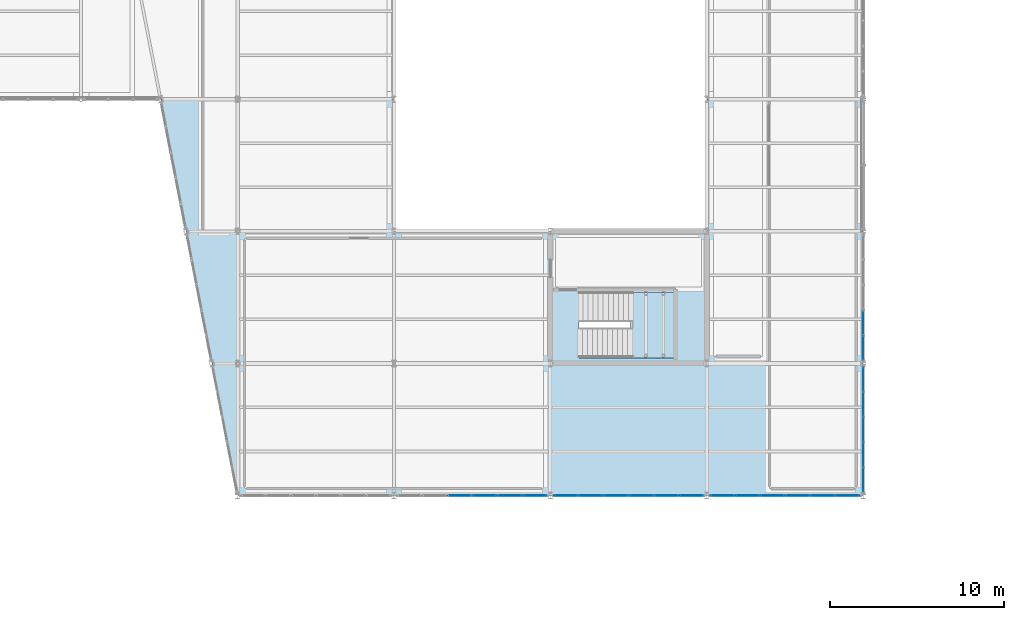
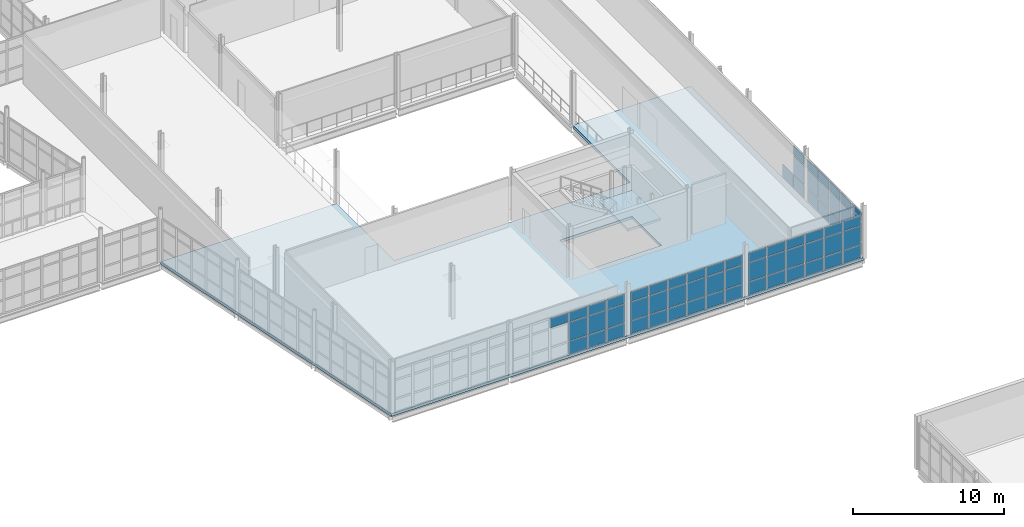
# One storey, part 143 of 174: 65 plates, 2 slabs, 6 elements without a shape of their own.
"""IFC4 building model written with IfcOpenShell, lengths in metres."""

from ifc_helpers import new_model, si_unit, direction, frame, origin, origin_2d, place, context, subcontext, project, spatial, polyline, rectangle, outline, extrude, material, layer, layer_set, type_object, element, aggregate, save


model = new_model("IFC4")

# Units and contexts
model_context = context("Model", 3, precision=1e-05, world=origin(), true_north=direction((0.0, 1.0)))
body_context = subcontext(model_context, "Body", "Model", "MODEL_VIEW")
ifc_project = project(units=[si_unit("LENGTHUNIT", "METRE"), si_unit("AREAUNIT", "SQUARE_METRE"), si_unit("VOLUMEUNIT", "CUBIC_METRE"), si_unit("PLANEANGLEUNIT", "RADIAN"), si_unit("MASSUNIT", "GRAM", prefix="KILO")], contexts=[model_context])

# Site, building, storey
site_placement = place(None, origin())
site = spatial("IfcSite", under=ifc_project, at=site_placement, CompositionType="ELEMENT")
building_placement = place(site_placement, origin())
building = spatial("IfcBuilding", under=site, at=building_placement, Name="Caisbarro Railhouse Central Library", CompositionType="ELEMENT")
storey_placement = place(building_placement, frame((0.0, 0.0, 5.0400390625)))
storey = spatial("IfcBuildingStorey", under=building, at=storey_placement, Name="L01", CompositionType="ELEMENT", Elevation=5.0400390625)

# Curtain wall, plates
ifc_material_1 = material(Name="Anodised architectural aluminium", Category="aluminium")
curtain_wall_type_1 = type_object("IfcCurtainWallType", Name="CW-CW03", PredefinedType="NOTDEFINED", material=ifc_material_1)
curtain_wall_1_placement = place(storey_placement, origin())
curtain_wall_1 = element("IfcCurtainWall", 1, at=curtain_wall_1_placement, inside=storey, type_object=curtain_wall_type_1, Name="CW03 curtain wall L01 #121", PredefinedType="NOTDEFINED")
ifc_material_2 = material(Name="Double low-e laminated solar-control glass", Category="glass")
ifc_layer_1 = layer(ifc_material_2, 0.01806640625, Name="Double low-e laminated solar-control glass")
ifc_layer_set_1 = layer_set([ifc_layer_1], Name="Double low-e laminated solar-control glass")
plate_type_1 = type_object("IfcPlateType", Name="CWP-CP18", PredefinedType="CURTAIN_PANEL", material=ifc_layer_set_1)
plate_1_placement = place(storey_placement, frame((153.0, 61.704345703125, 0.06494140625), z_axis=(0.0, 0.0, 1.0), x_axis=(0.0, 1.0, 0.0)))
plate_1 = element("IfcPlate", 2, at=plate_1_placement, type_object=plate_type_1, Name="CW03 panel 1.1", PredefinedType="CURTAIN_PANEL", context=body_context, shape_type="SweptSolid", body=[
    extrude(rectangle(XDim=1.3583984375, YDim=0.01806640625, at=origin_2d()), origin(), (0.0, 0.0, 1.0), 1.0224609375),
])
plate_2_placement = place(storey_placement, frame((153.0, 61.704345703125, 1.152587890625), z_axis=(0.0, 0.0, 1.0), x_axis=(0.0, 1.0, 0.0)))
plate_2 = element("IfcPlate", 3, at=plate_2_placement, type_object=plate_type_1, Name="CW03 panel 1.2", PredefinedType="CURTAIN_PANEL", context=body_context, shape_type="SweptSolid", body=[
    extrude(rectangle(XDim=1.3583984375, YDim=0.01806640625, at=origin_2d()), origin(), (0.0, 0.0, 1.0), 1.52490234375),
])
plate_3_placement = place(storey_placement, frame((153.0, 61.704345703125, 2.742431640625), z_axis=(0.0, 0.0, 1.0), x_axis=(0.0, 1.0, 0.0)))
plate_3 = element("IfcPlate", 4, at=plate_3_placement, type_object=plate_type_1, Name="CW03 panel 1.3", PredefinedType="CURTAIN_PANEL", context=body_context, shape_type="SweptSolid", body=[
    extrude(rectangle(XDim=1.3583984375, YDim=0.01806640625, at=origin_2d()), origin(), (0.0, 0.0, 1.0), 0.75244140625),
])
plate_4_placement = place(storey_placement, frame((153.0, 63.14404296875, 0.06494140625), z_axis=(0.0, 0.0, 1.0), x_axis=(0.0, 1.0, 0.0)))
plate_4 = element("IfcPlate", 5, at=plate_4_placement, type_object=plate_type_1, Name="CW03 panel 2.1", PredefinedType="CURTAIN_PANEL", context=body_context, shape_type="SweptSolid", body=[
    extrude(rectangle(XDim=1.39111328125, YDim=0.01806640625, at=origin_2d()), origin(), (0.0, 0.0, 1.0), 1.0224609375),
])
plate_5_placement = place(storey_placement, frame((153.0, 63.14404296875, 1.152587890625), z_axis=(0.0, 0.0, 1.0), x_axis=(0.0, 1.0, 0.0)))
plate_5 = element("IfcPlate", 6, at=plate_5_placement, type_object=plate_type_1, Name="CW03 panel 2.2", PredefinedType="CURTAIN_PANEL", context=body_context, shape_type="SweptSolid", body=[
    extrude(rectangle(XDim=1.39111328125, YDim=0.01806640625, at=origin_2d()), origin(), (0.0, 0.0, 1.0), 1.52490234375),
])
plate_6_placement = place(storey_placement, frame((153.0, 63.14404296875, 2.742431640625), z_axis=(0.0, 0.0, 1.0), x_axis=(0.0, 1.0, 0.0)))
plate_6 = element("IfcPlate", 7, at=plate_6_placement, type_object=plate_type_1, Name="CW03 panel 2.3", PredefinedType="CURTAIN_PANEL", context=body_context, shape_type="SweptSolid", body=[
    extrude(rectangle(XDim=1.39111328125, YDim=0.01806640625, at=origin_2d()), origin(), (0.0, 0.0, 1.0), 0.75244140625),
])
plate_7_placement = place(storey_placement, frame((153.0, 64.60009765625, 0.06494140625), z_axis=(0.0, 0.0, 1.0), x_axis=(0.0, 1.0, 0.0)))
plate_7 = element("IfcPlate", 8, at=plate_7_placement, type_object=plate_type_1, Name="CW03 panel 3.1", PredefinedType="CURTAIN_PANEL", context=body_context, shape_type="SweptSolid", body=[
    extrude(rectangle(XDim=1.39111328125, YDim=0.01806640625, at=origin_2d()), origin(), (0.0, 0.0, 1.0), 1.0224609375),
])
plate_8_placement = place(storey_placement, frame((153.0, 64.60009765625, 1.152587890625), z_axis=(0.0, 0.0, 1.0), x_axis=(0.0, 1.0, 0.0)))
plate_8 = element("IfcPlate", 9, at=plate_8_placement, type_object=plate_type_1, Name="CW03 panel 3.2", PredefinedType="CURTAIN_PANEL", context=body_context, shape_type="SweptSolid", body=[
    extrude(rectangle(XDim=1.39111328125, YDim=0.01806640625, at=origin_2d()), origin(), (0.0, 0.0, 1.0), 1.52490234375),
])
plate_9_placement = place(storey_placement, frame((153.0, 64.60009765625, 2.742431640625), z_axis=(0.0, 0.0, 1.0), x_axis=(0.0, 1.0, 0.0)))
plate_9 = element("IfcPlate", 10, at=plate_9_placement, type_object=plate_type_1, Name="CW03 panel 3.3", PredefinedType="CURTAIN_PANEL", context=body_context, shape_type="SweptSolid", body=[
    extrude(rectangle(XDim=1.39111328125, YDim=0.01806640625, at=origin_2d()), origin(), (0.0, 0.0, 1.0), 0.75244140625),
])
plate_10_placement = place(storey_placement, frame((153.0, 66.055908203125, 0.06494140625), z_axis=(0.0, 0.0, 1.0), x_axis=(0.0, 1.0, 0.0)))
plate_10 = element("IfcPlate", 11, at=plate_10_placement, type_object=plate_type_1, Name="CW03 panel 4.1", PredefinedType="CURTAIN_PANEL", context=body_context, shape_type="SweptSolid", body=[
    extrude(rectangle(XDim=1.39111328125, YDim=0.01806640625, at=origin_2d()), origin(), (0.0, 0.0, 1.0), 1.0224609375),
])
plate_11_placement = place(storey_placement, frame((153.0, 66.055908203125, 1.152587890625), z_axis=(0.0, 0.0, 1.0), x_axis=(0.0, 1.0, 0.0)))
plate_11 = element("IfcPlate", 12, at=plate_11_placement, type_object=plate_type_1, Name="CW03 panel 4.2", PredefinedType="CURTAIN_PANEL", context=body_context, shape_type="SweptSolid", body=[
    extrude(rectangle(XDim=1.39111328125, YDim=0.01806640625, at=origin_2d()), origin(), (0.0, 0.0, 1.0), 1.52490234375),
])
plate_12_placement = place(storey_placement, frame((153.0, 66.055908203125, 2.742431640625), z_axis=(0.0, 0.0, 1.0), x_axis=(0.0, 1.0, 0.0)))
plate_12 = element("IfcPlate", 13, at=plate_12_placement, type_object=plate_type_1, Name="CW03 panel 4.3", PredefinedType="CURTAIN_PANEL", context=body_context, shape_type="SweptSolid", body=[
    extrude(rectangle(XDim=1.39111328125, YDim=0.01806640625, at=origin_2d()), origin(), (0.0, 0.0, 1.0), 0.75244140625),
])
plate_13_placement = place(storey_placement, frame((153.0, 67.495849609375, 0.06494140625), z_axis=(0.0, 0.0, 1.0), x_axis=(0.0, 1.0, 0.0)))
plate_13 = element("IfcPlate", 14, at=plate_13_placement, type_object=plate_type_1, Name="CW03 panel 5.1", PredefinedType="CURTAIN_PANEL", context=body_context, shape_type="SweptSolid", body=[
    extrude(rectangle(XDim=1.3583984375, YDim=0.01806640625, at=origin_2d()), origin(), (0.0, 0.0, 1.0), 1.0224609375),
])
plate_14_placement = place(storey_placement, frame((153.0, 67.495849609375, 1.152587890625), z_axis=(0.0, 0.0, 1.0), x_axis=(0.0, 1.0, 0.0)))
plate_14 = element("IfcPlate", 15, at=plate_14_placement, type_object=plate_type_1, Name="CW03 panel 5.2", PredefinedType="CURTAIN_PANEL", context=body_context, shape_type="SweptSolid", body=[
    extrude(rectangle(XDim=1.3583984375, YDim=0.01806640625, at=origin_2d()), origin(), (0.0, 0.0, 1.0), 1.52490234375),
])
plate_15_placement = place(storey_placement, frame((153.0, 67.495849609375, 2.742431640625), z_axis=(0.0, 0.0, 1.0), x_axis=(0.0, 1.0, 0.0)))
plate_15 = element("IfcPlate", 16, at=plate_15_placement, type_object=plate_type_1, Name="CW03 panel 5.3", PredefinedType="CURTAIN_PANEL", context=body_context, shape_type="SweptSolid", body=[
    extrude(rectangle(XDim=1.3583984375, YDim=0.01806640625, at=origin_2d()), origin(), (0.0, 0.0, 1.0), 0.75244140625),
])
aggregate(curtain_wall_1, [plate_1, plate_2, plate_3, plate_4, plate_5, plate_6, plate_7, plate_8, plate_9, plate_10, plate_11, plate_12, plate_13, plate_14, plate_15])

curtain_wall_type_2 = type_object("IfcCurtainWallType", Name="CW-CW02", PredefinedType="NOTDEFINED", material=ifc_material_1)
curtain_wall_2_placement = place(storey_placement, origin())
curtain_wall_2 = element("IfcCurtainWall", 17, at=curtain_wall_2_placement, inside=storey, type_object=curtain_wall_type_2, Name="CW02 curtain wall L01 #118", PredefinedType="NOTDEFINED")
ifc_layer_2 = layer(ifc_material_2, 0.028076171875, Name="Double low-e laminated solar-control glass")
ifc_layer_set_2 = layer_set([ifc_layer_2], Name="Double low-e laminated solar-control glass")
plate_type_2 = type_object("IfcPlateType", Name="CWP-CP28", PredefinedType="CURTAIN_PANEL", material=ifc_layer_set_2)
plate_16_placement = place(storey_placement, frame((129.776611328125, 60.800048828125, 2.697265625), z_axis=(0.0, 0.0, 1.0), x_axis=(1.0, 0.0, 0.0)))
plate_16 = element("IfcPlate", 18, at=plate_16_placement, type_object=plate_type_2, Name="CW02 panel 3.3", PredefinedType="CURTAIN_PANEL", context=body_context, shape_type="SweptSolid", body=[
    extrude(rectangle(XDim=1.37158203125, YDim=0.028076171875, at=origin_2d()), origin(), (0.0, 0.0, 1.0), 0.737548828125),
])
plate_17_placement = place(storey_placement, frame((131.223388671875, 60.800048828125, 0.07470703125), z_axis=(0.0, 0.0, 1.0), x_axis=(1.0, 0.0, 0.0)))
plate_17 = element("IfcPlate", 19, at=plate_17_placement, type_object=plate_type_2, Name="CW02 panel 4.1", PredefinedType="CURTAIN_PANEL", context=body_context, shape_type="SweptSolid", body=[
    extrude(rectangle(XDim=1.37158203125, YDim=0.028076171875, at=origin_2d()), origin(), (0.0, 0.0, 1.0), 1.007568359375),
])
plate_18_placement = place(storey_placement, frame((131.223388671875, 60.800048828125, 1.1572265625), z_axis=(0.0, 0.0, 1.0), x_axis=(1.0, 0.0, 0.0)))
plate_18 = element("IfcPlate", 20, at=plate_18_placement, type_object=plate_type_2, Name="CW02 panel 4.2", PredefinedType="CURTAIN_PANEL", context=body_context, shape_type="SweptSolid", body=[
    extrude(rectangle(XDim=1.37158203125, YDim=0.028076171875, at=origin_2d()), origin(), (0.0, 0.0, 1.0), 1.465087890625),
])
plate_19_placement = place(storey_placement, frame((131.223388671875, 60.800048828125, 2.697265625), z_axis=(0.0, 0.0, 1.0), x_axis=(1.0, 0.0, 0.0)))
plate_19 = element("IfcPlate", 21, at=plate_19_placement, type_object=plate_type_2, Name="CW02 panel 4.3", PredefinedType="CURTAIN_PANEL", context=body_context, shape_type="SweptSolid", body=[
    extrude(rectangle(XDim=1.37158203125, YDim=0.028076171875, at=origin_2d()), origin(), (0.0, 0.0, 1.0), 0.737548828125),
])
plate_20_placement = place(storey_placement, frame((132.669921875, 60.800048828125, 0.07470703125), z_axis=(0.0, 0.0, 1.0), x_axis=(1.0, 0.0, 0.0)))
plate_20 = element("IfcPlate", 22, at=plate_20_placement, type_object=plate_type_2, Name="CW02 panel 5.1", PredefinedType="CURTAIN_PANEL", context=body_context, shape_type="SweptSolid", body=[
    extrude(rectangle(XDim=1.37158203125, YDim=0.028076171875, at=origin_2d()), origin(), (0.0, 0.0, 1.0), 1.007568359375),
])
plate_21_placement = place(storey_placement, frame((132.669921875, 60.800048828125, 1.1572265625), z_axis=(0.0, 0.0, 1.0), x_axis=(1.0, 0.0, 0.0)))
plate_21 = element("IfcPlate", 23, at=plate_21_placement, type_object=plate_type_2, Name="CW02 panel 5.2", PredefinedType="CURTAIN_PANEL", context=body_context, shape_type="SweptSolid", body=[
    extrude(rectangle(XDim=1.37158203125, YDim=0.028076171875, at=origin_2d()), origin(), (0.0, 0.0, 1.0), 1.465087890625),
])
plate_22_placement = place(storey_placement, frame((132.669921875, 60.800048828125, 2.697265625), z_axis=(0.0, 0.0, 1.0), x_axis=(1.0, 0.0, 0.0)))
plate_22 = element("IfcPlate", 24, at=plate_22_placement, type_object=plate_type_2, Name="CW02 panel 5.3", PredefinedType="CURTAIN_PANEL", context=body_context, shape_type="SweptSolid", body=[
    extrude(rectangle(XDim=1.37158203125, YDim=0.028076171875, at=origin_2d()), origin(), (0.0, 0.0, 1.0), 0.737548828125),
])
plate_23_placement = place(storey_placement, frame((134.097900390625, 60.800048828125, 0.07470703125), z_axis=(0.0, 0.0, 1.0), x_axis=(1.0, 0.0, 0.0)))
plate_23 = element("IfcPlate", 25, at=plate_23_placement, type_object=plate_type_2, Name="CW02 panel 6.1", PredefinedType="CURTAIN_PANEL", context=body_context, shape_type="SweptSolid", body=[
    extrude(rectangle(XDim=1.334228515625, YDim=0.028076171875, at=origin_2d()), origin(), (0.0, 0.0, 1.0), 1.007568359375),
])
plate_24_placement = place(storey_placement, frame((134.097900390625, 60.800048828125, 1.1572265625), z_axis=(0.0, 0.0, 1.0), x_axis=(1.0, 0.0, 0.0)))
plate_24 = element("IfcPlate", 26, at=plate_24_placement, type_object=plate_type_2, Name="CW02 panel 6.2", PredefinedType="CURTAIN_PANEL", context=body_context, shape_type="SweptSolid", body=[
    extrude(rectangle(XDim=1.334228515625, YDim=0.028076171875, at=origin_2d()), origin(), (0.0, 0.0, 1.0), 1.465087890625),
])
plate_25_placement = place(storey_placement, frame((134.097900390625, 60.800048828125, 2.697265625), z_axis=(0.0, 0.0, 1.0), x_axis=(1.0, 0.0, 0.0)))
plate_25 = element("IfcPlate", 27, at=plate_25_placement, type_object=plate_type_2, Name="CW02 panel 6.3", PredefinedType="CURTAIN_PANEL", context=body_context, shape_type="SweptSolid", body=[
    extrude(rectangle(XDim=1.334228515625, YDim=0.028076171875, at=origin_2d()), origin(), (0.0, 0.0, 1.0), 0.737548828125),
])
aggregate(curtain_wall_2, [plate_16, plate_17, plate_18, plate_19, plate_20, plate_21, plate_22, plate_23, plate_24, plate_25])

curtain_wall_3_placement = place(storey_placement, origin())
curtain_wall_3 = element("IfcCurtainWall", 28, at=curtain_wall_3_placement, inside=storey, type_object=curtain_wall_type_2, Name="CW02 curtain wall L01 #119", PredefinedType="NOTDEFINED")
plate_26_placement = place(storey_placement, frame((135.902099609375, 60.800048828125, 0.07470703125), z_axis=(0.0, 0.0, 1.0), x_axis=(1.0, 0.0, 0.0)))
plate_26 = element("IfcPlate", 29, at=plate_26_placement, type_object=plate_type_2, Name="CW02 panel 1.1", PredefinedType="CURTAIN_PANEL", context=body_context, shape_type="SweptSolid", body=[
    extrude(rectangle(XDim=1.334228515625, YDim=0.028076171875, at=origin_2d()), origin(), (0.0, 0.0, 1.0), 1.007568359375),
])
plate_27_placement = place(storey_placement, frame((135.902099609375, 60.800048828125, 1.1572265625), z_axis=(0.0, 0.0, 1.0), x_axis=(1.0, 0.0, 0.0)))
plate_27 = element("IfcPlate", 30, at=plate_27_placement, type_object=plate_type_2, Name="CW02 panel 1.2", PredefinedType="CURTAIN_PANEL", context=body_context, shape_type="SweptSolid", body=[
    extrude(rectangle(XDim=1.334228515625, YDim=0.028076171875, at=origin_2d()), origin(), (0.0, 0.0, 1.0), 1.465087890625),
])
plate_28_placement = place(storey_placement, frame((135.902099609375, 60.800048828125, 2.697265625), z_axis=(0.0, 0.0, 1.0), x_axis=(1.0, 0.0, 0.0)))
plate_28 = element("IfcPlate", 31, at=plate_28_placement, type_object=plate_type_2, Name="CW02 panel 1.3", PredefinedType="CURTAIN_PANEL", context=body_context, shape_type="SweptSolid", body=[
    extrude(rectangle(XDim=1.334228515625, YDim=0.028076171875, at=origin_2d()), origin(), (0.0, 0.0, 1.0), 0.737548828125),
])
plate_29_placement = place(storey_placement, frame((137.330078125, 60.800048828125, 0.07470703125), z_axis=(0.0, 0.0, 1.0), x_axis=(1.0, 0.0, 0.0)))
plate_29 = element("IfcPlate", 32, at=plate_29_placement, type_object=plate_type_2, Name="CW02 panel 2.1", PredefinedType="CURTAIN_PANEL", context=body_context, shape_type="SweptSolid", body=[
    extrude(rectangle(XDim=1.37158203125, YDim=0.028076171875, at=origin_2d()), origin(), (0.0, 0.0, 1.0), 1.007568359375),
])
plate_30_placement = place(storey_placement, frame((137.330078125, 60.800048828125, 1.1572265625), z_axis=(0.0, 0.0, 1.0), x_axis=(1.0, 0.0, 0.0)))
plate_30 = element("IfcPlate", 33, at=plate_30_placement, type_object=plate_type_2, Name="CW02 panel 2.2", PredefinedType="CURTAIN_PANEL", context=body_context, shape_type="SweptSolid", body=[
    extrude(rectangle(XDim=1.37158203125, YDim=0.028076171875, at=origin_2d()), origin(), (0.0, 0.0, 1.0), 1.465087890625),
])
plate_31_placement = place(storey_placement, frame((137.330078125, 60.800048828125, 2.697265625), z_axis=(0.0, 0.0, 1.0), x_axis=(1.0, 0.0, 0.0)))
plate_31 = element("IfcPlate", 34, at=plate_31_placement, type_object=plate_type_2, Name="CW02 panel 2.3", PredefinedType="CURTAIN_PANEL", context=body_context, shape_type="SweptSolid", body=[
    extrude(rectangle(XDim=1.37158203125, YDim=0.028076171875, at=origin_2d()), origin(), (0.0, 0.0, 1.0), 0.737548828125),
])
plate_32_placement = place(storey_placement, frame((138.776611328125, 60.800048828125, 0.07470703125), z_axis=(0.0, 0.0, 1.0), x_axis=(1.0, 0.0, 0.0)))
plate_32 = element("IfcPlate", 35, at=plate_32_placement, type_object=plate_type_2, Name="CW02 panel 3.1", PredefinedType="CURTAIN_PANEL", context=body_context, shape_type="SweptSolid", body=[
    extrude(rectangle(XDim=1.37158203125, YDim=0.028076171875, at=origin_2d()), origin(), (0.0, 0.0, 1.0), 1.007568359375),
])
plate_33_placement = place(storey_placement, frame((138.776611328125, 60.800048828125, 1.1572265625), z_axis=(0.0, 0.0, 1.0), x_axis=(1.0, 0.0, 0.0)))
plate_33 = element("IfcPlate", 36, at=plate_33_placement, type_object=plate_type_2, Name="CW02 panel 3.2", PredefinedType="CURTAIN_PANEL", context=body_context, shape_type="SweptSolid", body=[
    extrude(rectangle(XDim=1.37158203125, YDim=0.028076171875, at=origin_2d()), origin(), (0.0, 0.0, 1.0), 1.465087890625),
])
plate_34_placement = place(storey_placement, frame((138.776611328125, 60.800048828125, 2.697265625), z_axis=(0.0, 0.0, 1.0), x_axis=(1.0, 0.0, 0.0)))
plate_34 = element("IfcPlate", 37, at=plate_34_placement, type_object=plate_type_2, Name="CW02 panel 3.3", PredefinedType="CURTAIN_PANEL", context=body_context, shape_type="SweptSolid", body=[
    extrude(rectangle(XDim=1.37158203125, YDim=0.028076171875, at=origin_2d()), origin(), (0.0, 0.0, 1.0), 0.737548828125),
])
plate_35_placement = place(storey_placement, frame((140.223388671875, 60.800048828125, 0.07470703125), z_axis=(0.0, 0.0, 1.0), x_axis=(1.0, 0.0, 0.0)))
plate_35 = element("IfcPlate", 38, at=plate_35_placement, type_object=plate_type_2, Name="CW02 panel 4.1", PredefinedType="CURTAIN_PANEL", context=body_context, shape_type="SweptSolid", body=[
    extrude(rectangle(XDim=1.37158203125, YDim=0.028076171875, at=origin_2d()), origin(), (0.0, 0.0, 1.0), 1.007568359375),
])
plate_36_placement = place(storey_placement, frame((140.223388671875, 60.800048828125, 1.1572265625), z_axis=(0.0, 0.0, 1.0), x_axis=(1.0, 0.0, 0.0)))
plate_36 = element("IfcPlate", 39, at=plate_36_placement, type_object=plate_type_2, Name="CW02 panel 4.2", PredefinedType="CURTAIN_PANEL", context=body_context, shape_type="SweptSolid", body=[
    extrude(rectangle(XDim=1.37158203125, YDim=0.028076171875, at=origin_2d()), origin(), (0.0, 0.0, 1.0), 1.465087890625),
])
plate_37_placement = place(storey_placement, frame((140.223388671875, 60.800048828125, 2.697265625), z_axis=(0.0, 0.0, 1.0), x_axis=(1.0, 0.0, 0.0)))
plate_37 = element("IfcPlate", 40, at=plate_37_placement, type_object=plate_type_2, Name="CW02 panel 4.3", PredefinedType="CURTAIN_PANEL", context=body_context, shape_type="SweptSolid", body=[
    extrude(rectangle(XDim=1.37158203125, YDim=0.028076171875, at=origin_2d()), origin(), (0.0, 0.0, 1.0), 0.737548828125),
])
plate_38_placement = place(storey_placement, frame((141.669921875, 60.800048828125, 0.07470703125), z_axis=(0.0, 0.0, 1.0), x_axis=(1.0, 0.0, 0.0)))
plate_38 = element("IfcPlate", 41, at=plate_38_placement, type_object=plate_type_2, Name="CW02 panel 5.1", PredefinedType="CURTAIN_PANEL", context=body_context, shape_type="SweptSolid", body=[
    extrude(rectangle(XDim=1.37158203125, YDim=0.028076171875, at=origin_2d()), origin(), (0.0, 0.0, 1.0), 1.007568359375),
])
plate_39_placement = place(storey_placement, frame((141.669921875, 60.800048828125, 1.1572265625), z_axis=(0.0, 0.0, 1.0), x_axis=(1.0, 0.0, 0.0)))
plate_39 = element("IfcPlate", 42, at=plate_39_placement, type_object=plate_type_2, Name="CW02 panel 5.2", PredefinedType="CURTAIN_PANEL", context=body_context, shape_type="SweptSolid", body=[
    extrude(rectangle(XDim=1.37158203125, YDim=0.028076171875, at=origin_2d()), origin(), (0.0, 0.0, 1.0), 1.465087890625),
])
plate_40_placement = place(storey_placement, frame((141.669921875, 60.800048828125, 2.697265625), z_axis=(0.0, 0.0, 1.0), x_axis=(1.0, 0.0, 0.0)))
plate_40 = element("IfcPlate", 43, at=plate_40_placement, type_object=plate_type_2, Name="CW02 panel 5.3", PredefinedType="CURTAIN_PANEL", context=body_context, shape_type="SweptSolid", body=[
    extrude(rectangle(XDim=1.37158203125, YDim=0.028076171875, at=origin_2d()), origin(), (0.0, 0.0, 1.0), 0.737548828125),
])
plate_41_placement = place(storey_placement, frame((143.097900390625, 60.800048828125, 0.07470703125), z_axis=(0.0, 0.0, 1.0), x_axis=(1.0, 0.0, 0.0)))
plate_41 = element("IfcPlate", 44, at=plate_41_placement, type_object=plate_type_2, Name="CW02 panel 6.1", PredefinedType="CURTAIN_PANEL", context=body_context, shape_type="SweptSolid", body=[
    extrude(rectangle(XDim=1.334228515625, YDim=0.028076171875, at=origin_2d()), origin(), (0.0, 0.0, 1.0), 1.007568359375),
])
plate_42_placement = place(storey_placement, frame((143.097900390625, 60.800048828125, 1.1572265625), z_axis=(0.0, 0.0, 1.0), x_axis=(1.0, 0.0, 0.0)))
plate_42 = element("IfcPlate", 45, at=plate_42_placement, type_object=plate_type_2, Name="CW02 panel 6.2", PredefinedType="CURTAIN_PANEL", context=body_context, shape_type="SweptSolid", body=[
    extrude(rectangle(XDim=1.334228515625, YDim=0.028076171875, at=origin_2d()), origin(), (0.0, 0.0, 1.0), 1.465087890625),
])
plate_43_placement = place(storey_placement, frame((143.097900390625, 60.800048828125, 2.697265625), z_axis=(0.0, 0.0, 1.0), x_axis=(1.0, 0.0, 0.0)))
plate_43 = element("IfcPlate", 46, at=plate_43_placement, type_object=plate_type_2, Name="CW02 panel 6.3", PredefinedType="CURTAIN_PANEL", context=body_context, shape_type="SweptSolid", body=[
    extrude(rectangle(XDim=1.334228515625, YDim=0.028076171875, at=origin_2d()), origin(), (0.0, 0.0, 1.0), 0.737548828125),
])
aggregate(curtain_wall_3, [plate_26, plate_27, plate_28, plate_29, plate_30, plate_31, plate_32, plate_33, plate_34, plate_35, plate_36, plate_37, plate_38, plate_39, plate_40, plate_41, plate_42, plate_43])

curtain_wall_4_placement = place(storey_placement, origin())
curtain_wall_4 = element("IfcCurtainWall", 47, at=curtain_wall_4_placement, inside=storey, type_object=curtain_wall_type_2, Name="CW02 curtain wall L01 #120", PredefinedType="NOTDEFINED")
plate_44_placement = place(storey_placement, frame((144.902099609375, 60.800048828125, 0.07470703125), z_axis=(0.0, 0.0, 1.0), x_axis=(1.0, 0.0, 0.0)))
plate_44 = element("IfcPlate", 48, at=plate_44_placement, type_object=plate_type_2, Name="CW02 panel 1.1", PredefinedType="CURTAIN_PANEL", context=body_context, shape_type="SweptSolid", body=[
    extrude(rectangle(XDim=1.334228515625, YDim=0.028076171875, at=origin_2d()), origin(), (0.0, 0.0, 1.0), 1.007568359375),
])
plate_45_placement = place(storey_placement, frame((144.902099609375, 60.800048828125, 1.1572265625), z_axis=(0.0, 0.0, 1.0), x_axis=(1.0, 0.0, 0.0)))
plate_45 = element("IfcPlate", 49, at=plate_45_placement, type_object=plate_type_2, Name="CW02 panel 1.2", PredefinedType="CURTAIN_PANEL", context=body_context, shape_type="SweptSolid", body=[
    extrude(rectangle(XDim=1.334228515625, YDim=0.028076171875, at=origin_2d()), origin(), (0.0, 0.0, 1.0), 1.465087890625),
])
plate_46_placement = place(storey_placement, frame((144.902099609375, 60.800048828125, 2.697265625), z_axis=(0.0, 0.0, 1.0), x_axis=(1.0, 0.0, 0.0)))
plate_46 = element("IfcPlate", 50, at=plate_46_placement, type_object=plate_type_2, Name="CW02 panel 1.3", PredefinedType="CURTAIN_PANEL", context=body_context, shape_type="SweptSolid", body=[
    extrude(rectangle(XDim=1.334228515625, YDim=0.028076171875, at=origin_2d()), origin(), (0.0, 0.0, 1.0), 0.737548828125),
])
plate_47_placement = place(storey_placement, frame((146.330078125, 60.800048828125, 0.07470703125), z_axis=(0.0, 0.0, 1.0), x_axis=(1.0, 0.0, 0.0)))
plate_47 = element("IfcPlate", 51, at=plate_47_placement, type_object=plate_type_2, Name="CW02 panel 2.1", PredefinedType="CURTAIN_PANEL", context=body_context, shape_type="SweptSolid", body=[
    extrude(rectangle(XDim=1.37158203125, YDim=0.028076171875, at=origin_2d()), origin(), (0.0, 0.0, 1.0), 1.007568359375),
])
plate_48_placement = place(storey_placement, frame((146.330078125, 60.800048828125, 1.1572265625), z_axis=(0.0, 0.0, 1.0), x_axis=(1.0, 0.0, 0.0)))
plate_48 = element("IfcPlate", 52, at=plate_48_placement, type_object=plate_type_2, Name="CW02 panel 2.2", PredefinedType="CURTAIN_PANEL", context=body_context, shape_type="SweptSolid", body=[
    extrude(rectangle(XDim=1.37158203125, YDim=0.028076171875, at=origin_2d()), origin(), (0.0, 0.0, 1.0), 1.465087890625),
])
plate_49_placement = place(storey_placement, frame((146.330078125, 60.800048828125, 2.697265625), z_axis=(0.0, 0.0, 1.0), x_axis=(1.0, 0.0, 0.0)))
plate_49 = element("IfcPlate", 53, at=plate_49_placement, type_object=plate_type_2, Name="CW02 panel 2.3", PredefinedType="CURTAIN_PANEL", context=body_context, shape_type="SweptSolid", body=[
    extrude(rectangle(XDim=1.37158203125, YDim=0.028076171875, at=origin_2d()), origin(), (0.0, 0.0, 1.0), 0.737548828125),
])
plate_50_placement = place(storey_placement, frame((147.776611328125, 60.800048828125, 0.07470703125), z_axis=(0.0, 0.0, 1.0), x_axis=(1.0, 0.0, 0.0)))
plate_50 = element("IfcPlate", 54, at=plate_50_placement, type_object=plate_type_2, Name="CW02 panel 3.1", PredefinedType="CURTAIN_PANEL", context=body_context, shape_type="SweptSolid", body=[
    extrude(rectangle(XDim=1.37158203125, YDim=0.028076171875, at=origin_2d()), origin(), (0.0, 0.0, 1.0), 1.007568359375),
])
plate_51_placement = place(storey_placement, frame((147.776611328125, 60.800048828125, 1.1572265625), z_axis=(0.0, 0.0, 1.0), x_axis=(1.0, 0.0, 0.0)))
plate_51 = element("IfcPlate", 55, at=plate_51_placement, type_object=plate_type_2, Name="CW02 panel 3.2", PredefinedType="CURTAIN_PANEL", context=body_context, shape_type="SweptSolid", body=[
    extrude(rectangle(XDim=1.37158203125, YDim=0.028076171875, at=origin_2d()), origin(), (0.0, 0.0, 1.0), 1.465087890625),
])
plate_52_placement = place(storey_placement, frame((147.776611328125, 60.800048828125, 2.697265625), z_axis=(0.0, 0.0, 1.0), x_axis=(1.0, 0.0, 0.0)))
plate_52 = element("IfcPlate", 56, at=plate_52_placement, type_object=plate_type_2, Name="CW02 panel 3.3", PredefinedType="CURTAIN_PANEL", context=body_context, shape_type="SweptSolid", body=[
    extrude(rectangle(XDim=1.37158203125, YDim=0.028076171875, at=origin_2d()), origin(), (0.0, 0.0, 1.0), 0.737548828125),
])
plate_53_placement = place(storey_placement, frame((149.223388671875, 60.800048828125, 0.07470703125), z_axis=(0.0, 0.0, 1.0), x_axis=(1.0, 0.0, 0.0)))
plate_53 = element("IfcPlate", 57, at=plate_53_placement, type_object=plate_type_2, Name="CW02 panel 4.1", PredefinedType="CURTAIN_PANEL", context=body_context, shape_type="SweptSolid", body=[
    extrude(rectangle(XDim=1.37158203125, YDim=0.028076171875, at=origin_2d()), origin(), (0.0, 0.0, 1.0), 1.007568359375),
])
plate_54_placement = place(storey_placement, frame((149.223388671875, 60.800048828125, 1.1572265625), z_axis=(0.0, 0.0, 1.0), x_axis=(1.0, 0.0, 0.0)))
plate_54 = element("IfcPlate", 58, at=plate_54_placement, type_object=plate_type_2, Name="CW02 panel 4.2", PredefinedType="CURTAIN_PANEL", context=body_context, shape_type="SweptSolid", body=[
    extrude(rectangle(XDim=1.37158203125, YDim=0.028076171875, at=origin_2d()), origin(), (0.0, 0.0, 1.0), 1.465087890625),
])
plate_55_placement = place(storey_placement, frame((149.223388671875, 60.800048828125, 2.697265625), z_axis=(0.0, 0.0, 1.0), x_axis=(1.0, 0.0, 0.0)))
plate_55 = element("IfcPlate", 59, at=plate_55_placement, type_object=plate_type_2, Name="CW02 panel 4.3", PredefinedType="CURTAIN_PANEL", context=body_context, shape_type="SweptSolid", body=[
    extrude(rectangle(XDim=1.37158203125, YDim=0.028076171875, at=origin_2d()), origin(), (0.0, 0.0, 1.0), 0.737548828125),
])
plate_56_placement = place(storey_placement, frame((150.669921875, 60.800048828125, 0.07470703125), z_axis=(0.0, 0.0, 1.0), x_axis=(1.0, 0.0, 0.0)))
plate_56 = element("IfcPlate", 60, at=plate_56_placement, type_object=plate_type_2, Name="CW02 panel 5.1", PredefinedType="CURTAIN_PANEL", context=body_context, shape_type="SweptSolid", body=[
    extrude(rectangle(XDim=1.37158203125, YDim=0.028076171875, at=origin_2d()), origin(), (0.0, 0.0, 1.0), 1.007568359375),
])
plate_57_placement = place(storey_placement, frame((150.669921875, 60.800048828125, 1.1572265625), z_axis=(0.0, 0.0, 1.0), x_axis=(1.0, 0.0, 0.0)))
plate_57 = element("IfcPlate", 61, at=plate_57_placement, type_object=plate_type_2, Name="CW02 panel 5.2", PredefinedType="CURTAIN_PANEL", context=body_context, shape_type="SweptSolid", body=[
    extrude(rectangle(XDim=1.37158203125, YDim=0.028076171875, at=origin_2d()), origin(), (0.0, 0.0, 1.0), 1.465087890625),
])
plate_58_placement = place(storey_placement, frame((150.669921875, 60.800048828125, 2.697265625), z_axis=(0.0, 0.0, 1.0), x_axis=(1.0, 0.0, 0.0)))
plate_58 = element("IfcPlate", 62, at=plate_58_placement, type_object=plate_type_2, Name="CW02 panel 5.3", PredefinedType="CURTAIN_PANEL", context=body_context, shape_type="SweptSolid", body=[
    extrude(rectangle(XDim=1.37158203125, YDim=0.028076171875, at=origin_2d()), origin(), (0.0, 0.0, 1.0), 0.737548828125),
])
plate_59_placement = place(storey_placement, frame((152.097900390625, 60.800048828125, 0.07470703125), z_axis=(0.0, 0.0, 1.0), x_axis=(1.0, 0.0, 0.0)))
plate_59 = element("IfcPlate", 63, at=plate_59_placement, type_object=plate_type_2, Name="CW02 panel 6.1", PredefinedType="CURTAIN_PANEL", context=body_context, shape_type="SweptSolid", body=[
    extrude(rectangle(XDim=1.334228515625, YDim=0.028076171875, at=origin_2d()), origin(), (0.0, 0.0, 1.0), 1.007568359375),
])
plate_60_placement = place(storey_placement, frame((152.097900390625, 60.800048828125, 1.1572265625), z_axis=(0.0, 0.0, 1.0), x_axis=(1.0, 0.0, 0.0)))
plate_60 = element("IfcPlate", 64, at=plate_60_placement, type_object=plate_type_2, Name="CW02 panel 6.2", PredefinedType="CURTAIN_PANEL", context=body_context, shape_type="SweptSolid", body=[
    extrude(rectangle(XDim=1.334228515625, YDim=0.028076171875, at=origin_2d()), origin(), (0.0, 0.0, 1.0), 1.465087890625),
])
plate_61_placement = place(storey_placement, frame((152.097900390625, 60.800048828125, 2.697265625), z_axis=(0.0, 0.0, 1.0), x_axis=(1.0, 0.0, 0.0)))
plate_61 = element("IfcPlate", 65, at=plate_61_placement, type_object=plate_type_2, Name="CW02 panel 6.3", PredefinedType="CURTAIN_PANEL", context=body_context, shape_type="SweptSolid", body=[
    extrude(rectangle(XDim=1.334228515625, YDim=0.028076171875, at=origin_2d()), origin(), (0.0, 0.0, 1.0), 0.737548828125),
])
aggregate(curtain_wall_4, [plate_44, plate_45, plate_46, plate_47, plate_48, plate_49, plate_50, plate_51, plate_52, plate_53, plate_54, plate_55, plate_56, plate_57, plate_58, plate_59, plate_60, plate_61])

curtain_wall_5_placement = place(storey_placement, origin())
curtain_wall_5 = element("IfcCurtainWall", 66, at=curtain_wall_5_placement, inside=storey, type_object=curtain_wall_type_1, Name="CW03 curtain wall L01 #122", PredefinedType="NOTDEFINED")
plate_62_placement = place(storey_placement, frame((153.0, 69.30419921875, 0.06494140625), z_axis=(0.0, 0.0, 1.0), x_axis=(0.0, 1.0, 0.0)))
plate_62 = element("IfcPlate", 67, at=plate_62_placement, type_object=plate_type_2, Name="CW03 panel 1.1", PredefinedType="CURTAIN_PANEL", context=body_context, shape_type="SweptSolid", body=[
    extrude(rectangle(XDim=1.3583984375, YDim=0.028076171875, at=origin_2d()), origin(), (0.0, 0.0, 1.0), 1.0224609375),
])
plate_63_placement = place(storey_placement, frame((153.0, 69.30419921875, 1.152587890625), z_axis=(0.0, 0.0, 1.0), x_axis=(0.0, 1.0, 0.0)))
plate_63 = element("IfcPlate", 68, at=plate_63_placement, type_object=plate_type_2, Name="CW03 panel 1.2", PredefinedType="CURTAIN_PANEL", context=body_context, shape_type="SweptSolid", body=[
    extrude(rectangle(XDim=1.3583984375, YDim=0.028076171875, at=origin_2d()), origin(), (0.0, 0.0, 1.0), 1.52490234375),
])
plate_64_placement = place(storey_placement, frame((153.0, 69.30419921875, 2.742431640625), z_axis=(0.0, 0.0, 1.0), x_axis=(0.0, 1.0, 0.0)))
plate_64 = element("IfcPlate", 69, at=plate_64_placement, type_object=plate_type_2, Name="CW03 panel 1.3", PredefinedType="CURTAIN_PANEL", context=body_context, shape_type="SweptSolid", body=[
    extrude(rectangle(XDim=1.3583984375, YDim=0.028076171875, at=origin_2d()), origin(), (0.0, 0.0, 1.0), 0.75244140625),
])
plate_65_placement = place(storey_placement, frame((153.0, 70.743896484375, 0.06494140625), z_axis=(0.0, 0.0, 1.0), x_axis=(0.0, 1.0, 0.0)))
plate_65 = element("IfcPlate", 70, at=plate_65_placement, type_object=plate_type_2, Name="CW03 panel 2.1", PredefinedType="CURTAIN_PANEL", context=body_context, shape_type="SweptSolid", body=[
    extrude(rectangle(XDim=1.39111328125, YDim=0.028076171875, at=origin_2d()), origin(), (0.0, 0.0, 1.0), 1.0224609375),
])
aggregate(curtain_wall_5, [plate_62, plate_63, plate_64, plate_65])

# Slab
ifc_material_3 = material(Name="Concrete C35", Category="concrete")
ifc_layer_3 = layer(ifc_material_3, 0.219970703125, Name="Concrete C35")
ifc_layer_set_3 = layer_set([ifc_layer_3], Name="Concrete C35")
slab_type_1 = type_object("IfcSlabType", Name="SLB-FL22", PredefinedType="FLOOR", material=ifc_layer_set_3)
slab_1_placement = place(storey_placement, frame((0.0, 0.0, -0.219970703125)))
element("IfcSlab", 71, at=slab_1_placement, inside=storey, type_object=slab_type_1, Name="SF22 structural slab L01 V4.1", PredefinedType="FLOOR", context=body_context, shape_type="SweptSolid", body=[
    extrude(outline(polyline([(117.0, 60.800048828125), (153.0, 60.800048828125), (153.0, 83.60009765625), (144.0, 83.60009765625), (144.0, 76.0), (126.0, 76.0), (126.0, 83.60009765625), (112.568115234375, 83.60009765625), (117.0, 60.800048828125)]), holes=[polyline([(136.64990234375, 68.699951171875), (142.14990234375, 68.699951171875), (142.14990234375, 72.550048828125), (136.64990234375, 72.550048828125), (136.64990234375, 68.699951171875)])]), origin(), (0.0, 0.0, 1.0), 0.219970703125),
])

# Stair, slab
stair_type = type_object("IfcStairType", Name="STR-ST43B", PredefinedType="HALF_TURN_STAIR", material=ifc_material_3)
stair_placement = place(storey_placement, origin())
stair = element("IfcStair", 72, at=stair_placement, inside=storey, type_object=stair_type, Name="Protected Stair ST-07 (L01)", PredefinedType="HALF_TURN_STAIR")
ifc_layer_4 = layer(ifc_material_3, 0.18994140625, Name="Concrete C35")
ifc_layer_set_4 = layer_set([ifc_layer_4], Name="Concrete C35")
slab_type_2 = type_object("IfcSlabType", Name="SLB-LND19", PredefinedType="LANDING", material=ifc_layer_set_4)
slab_2_placement = place(storey_placement, frame((0.0, 0.0, 1.969970703125)))
slab_2 = element("IfcSlab", 73, at=slab_2_placement, type_object=slab_type_2, Name="ST-07 landing 1", PredefinedType="LANDING", context=body_context, shape_type="SweptSolid", body=[
    extrude(outline(polyline([(139.6201171875, 68.739990234375), (142.1201171875, 68.739990234375), (142.1201171875, 72.510009765625), (139.6201171875, 72.510009765625), (139.6201171875, 68.739990234375)])), origin(), (0.0, 0.0, 1.0), 0.18994140625),
])
aggregate(stair, [slab_2])

save(model, "model.ifc")
